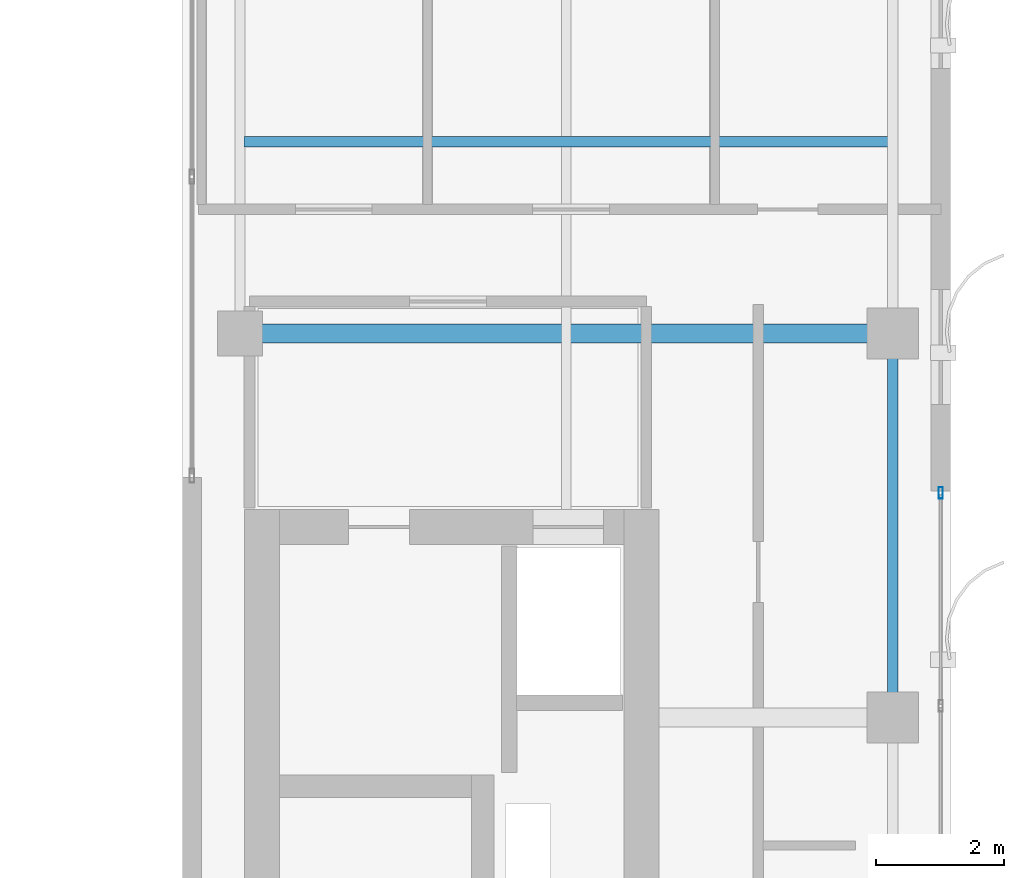
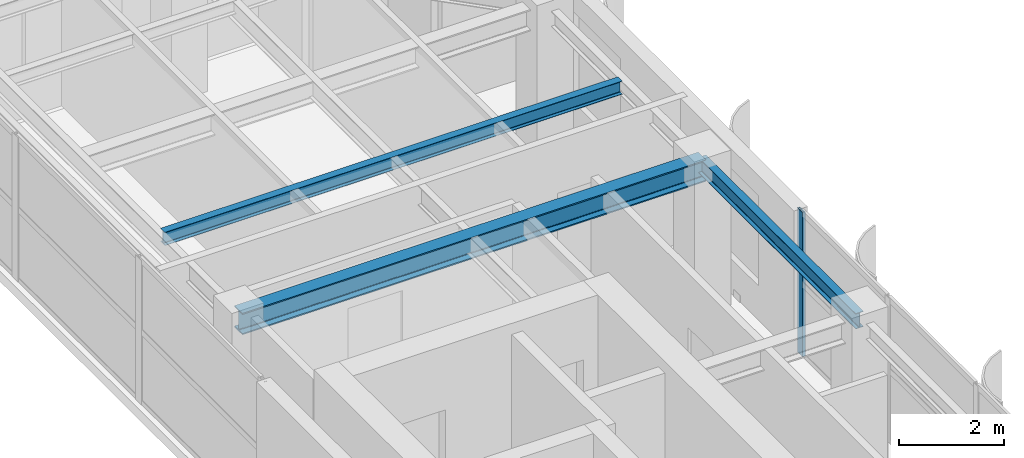
# One storey, part 13 of 24: 3 beams, 1 member, 1 element without a shape of its own.
"""IFC4 building model written with IfcOpenShell, lengths in metres."""

from ifc_helpers import new_model, si_unit, direction, frame, origin, origin_2d, place, context, subcontext, project, spatial, hollow_rectangle, i_section, extrude, source, transform, mapped, material, layer, layer_set, material_profile, profile_set, type_object, element, aggregate, save


model = new_model("IFC4")

# Units and contexts
model_context = context("Model", 3, precision=1e-05, world=origin(), true_north=direction((0.0, 1.0)))
body_context = subcontext(model_context, "Body", "Model", "MODEL_VIEW")
ifc_project = project(units=[si_unit("LENGTHUNIT", "METRE"), si_unit("AREAUNIT", "SQUARE_METRE"), si_unit("VOLUMEUNIT", "CUBIC_METRE"), si_unit("PLANEANGLEUNIT", "RADIAN"), si_unit("MASSUNIT", "GRAM", prefix="KILO")], contexts=[model_context])

# Site, building, storey
site_placement = place(None, origin())
site = spatial("IfcSite", under=ifc_project, at=site_placement, CompositionType="ELEMENT")
building_placement = place(site_placement, origin())
building = spatial("IfcBuilding", under=site, at=building_placement, Name="Khoralis Quay Care Tower", CompositionType="ELEMENT")
storey_placement = place(building_placement, frame((0.0, 0.0, 238.5)))
storey = spatial("IfcBuildingStorey", under=building, at=storey_placement, Name="L62", CompositionType="ELEMENT", Elevation=238.5)

# Beams
ifc_material_1 = material(Name="Steel S355", Category="steel")
ifc_material_profile_1 = material_profile(ifc_material_1, i_section(OverallWidth=0.169921875, OverallDepth=0.360107421875, WebThickness=0.008056640625, FlangeThickness=0.0126953125, FilletRadius=0.01806640625, at=origin_2d()), Name="Steel S355")
ifc_profile_set_1 = profile_set([ifc_material_profile_1], Name="Steel S355")
beam_type_1 = type_object("IfcBeamType", Name="BM-IPE360", PredefinedType="SPANDREL", material=ifc_profile_set_1)
shared_shape_1 = source(origin(), body_context, "Body", "SweptSolid", [
    extrude(i_section(OverallWidth=0.169921875, OverallDepth=0.360107421875, WebThickness=0.008056640625, FlangeThickness=0.0126953125, FilletRadius=0.01806640625, at=origin_2d()), origin(), (0.0, 0.0, 1.0), 6.0),
])
beam_1_placement = place(storey_placement, frame((41.10009765625, 24.0, 3.179931640625), z_axis=(0.0, 1.0, 0.0), x_axis=(-1.0, 0.0, 0.0)))
element("IfcBeam", 1, at=beam_1_placement, inside=storey, type_object=beam_type_1, Name="BM-TSP-L62-11", PredefinedType="SPANDREL", context=body_context, shape_type="MappedRepresentation", body=[
    mapped(shared_shape_1, transform((0.0, 0.0, 0.0), scale=1.0)),
])
ifc_material_profile_2 = material_profile(ifc_material_1, i_section(OverallWidth=0.300048828125, OverallDepth=0.5, WebThickness=0.014404296875, FlangeThickness=0.028076171875, FilletRadius=0.027099609375, at=origin_2d()), Name="Steel S355")
ifc_profile_set_2 = profile_set([ifc_material_profile_2], Name="Steel S355")
beam_type_2 = type_object("IfcBeamType", Name="BM-HEB500", PredefinedType="BEAM", material=ifc_profile_set_2)
shared_shape_2 = source(origin(), body_context, "Body", "SweptSolid", [
    extrude(i_section(OverallWidth=0.300048828125, OverallDepth=0.5, WebThickness=0.014404296875, FlangeThickness=0.028076171875, FilletRadius=0.027099609375, at=origin_2d()), origin(), (0.0, 0.0, 1.0), 10.2001953125),
])
beam_2_placement = place(storey_placement, frame((30.89990234375, 30.0, 3.110107421875), z_axis=(1.0, 0.0, 0.0), x_axis=(0.0, 1.0, 0.0)))
element("IfcBeam", 2, at=beam_2_placement, inside=storey, type_object=beam_type_2, Name="BM-TGXE-L62-300", PredefinedType="BEAM", context=body_context, shape_type="MappedRepresentation", body=[
    mapped(shared_shape_2, transform((0.0, 0.0, 0.0), scale=1.0)),
])
ifc_material_profile_3 = material_profile(ifc_material_1, i_section(OverallWidth=0.1650390625, OverallDepth=0.31005859375, WebThickness=0.005859375, FlangeThickness=0.009765625, FilletRadius=0.011962890625, at=origin_2d()), Name="Steel S355")
ifc_profile_set_3 = profile_set([ifc_material_profile_3], Name="Steel S355")
beam_type_3 = type_object("IfcBeamType", Name="BM-W310X39", PredefinedType="JOIST", material=ifc_profile_set_3)
shared_shape_3 = source(origin(), body_context, "Body", "SweptSolid", [
    extrude(i_section(OverallWidth=0.1650390625, OverallDepth=0.31005859375, WebThickness=0.005859375, FlangeThickness=0.009765625, FilletRadius=0.011962890625, at=origin_2d()), origin(), (0.0, 0.0, 1.0), 10.06396484375),
])
beam_3_placement = place(storey_placement, frame((30.965087890625, 33.0, 3.205078125), z_axis=(1.0, 0.0, 0.0), x_axis=(0.0, 1.0, 0.0)))
element("IfcBeam", 3, at=beam_3_placement, inside=storey, type_object=beam_type_3, Name="BM-TJS-L62-20", PredefinedType="JOIST", context=body_context, shape_type="MappedRepresentation", body=[
    mapped(shared_shape_3, transform((0.0, 0.0, 0.0), scale=1.0)),
])

# Curtain wall, member
ifc_material_2 = material(Name="Pale anodised aluminium", Category="aluminium")
ifc_layer = layer(ifc_material_2, 0.159912109375)
ifc_layer_set = layer_set([ifc_layer], Name="Pale anodised aluminium")
curtain_wall_type = type_object("IfcCurtainWallType", Name="CW-SYS-Z3", PredefinedType="NOTDEFINED", material=ifc_layer_set)
curtain_wall_placement = place(storey_placement, origin())
curtain_wall = element("IfcCurtainWall", 4, at=curtain_wall_placement, inside=storey, type_object=curtain_wall_type, Name="L62 Unitised Curtain Wall CW-L62-P2-E5", PredefinedType="NOTDEFINED")
ifc_material_profile_4 = material_profile(ifc_material_2, hollow_rectangle(XDim=0.06494140625, YDim=0.179931640625, WallThickness=0.00390625, at=origin_2d()), Name="Pale anodised aluminium")
ifc_profile_set_4 = profile_set([ifc_material_profile_4], Name="Pale anodised aluminium")
member_type = type_object("IfcMemberType", Name="CW-MUL-180", PredefinedType="MULLION", material=ifc_profile_set_4)
shared_shape_4 = source(origin(), body_context, "Body", "SweptSolid", [
    extrude(hollow_rectangle(XDim=0.06494140625, YDim=0.179931640625, WallThickness=0.00390625, at=origin_2d()), origin(), (0.0, 0.0, 1.0), 3.360107421875),
])
member_placement = place(storey_placement, frame((41.85009765625, 27.510009765625, 0.0), z_axis=(0.0, 0.0, 1.0), x_axis=(-1.0, 0.0, 0.0)))
member = element("IfcMember", 5, at=member_placement, type_object=member_type, Name="CW3 mullion 4", PredefinedType="MULLION", context=body_context, shape_type="MappedRepresentation", body=[
    mapped(shared_shape_4, transform((0.0, 0.0, 0.0), scale=1.0)),
])
aggregate(curtain_wall, [member])

save(model, "model.ifc")
